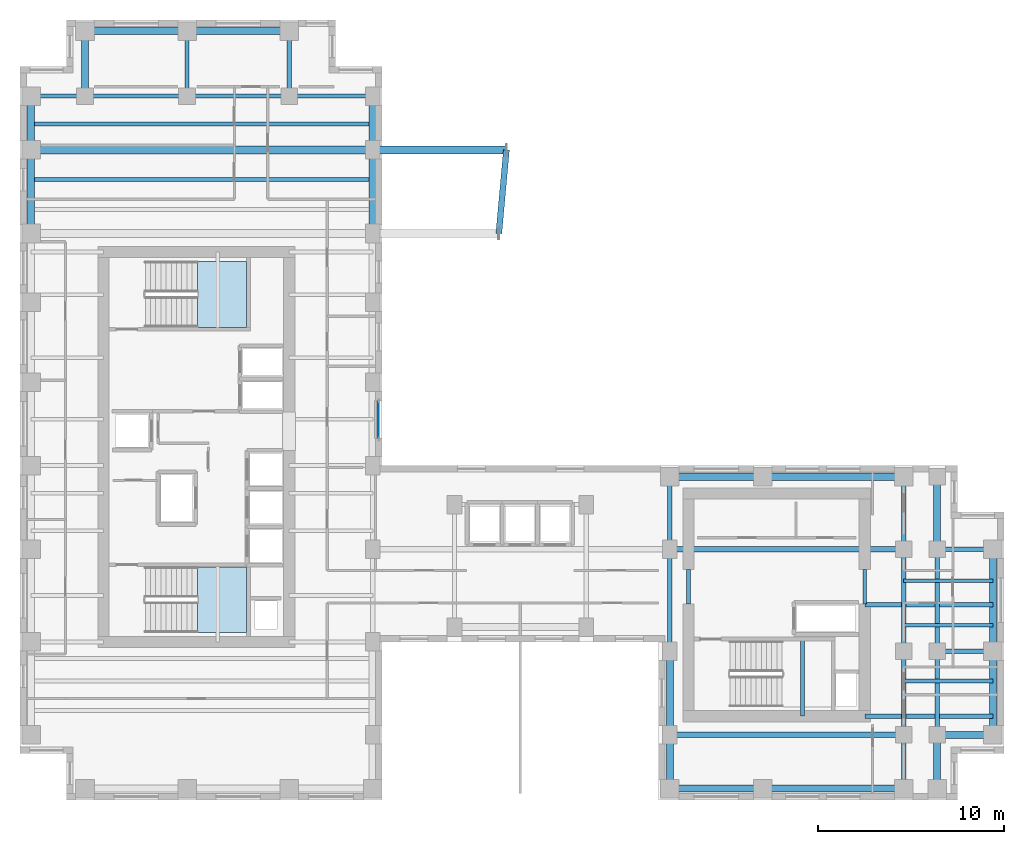
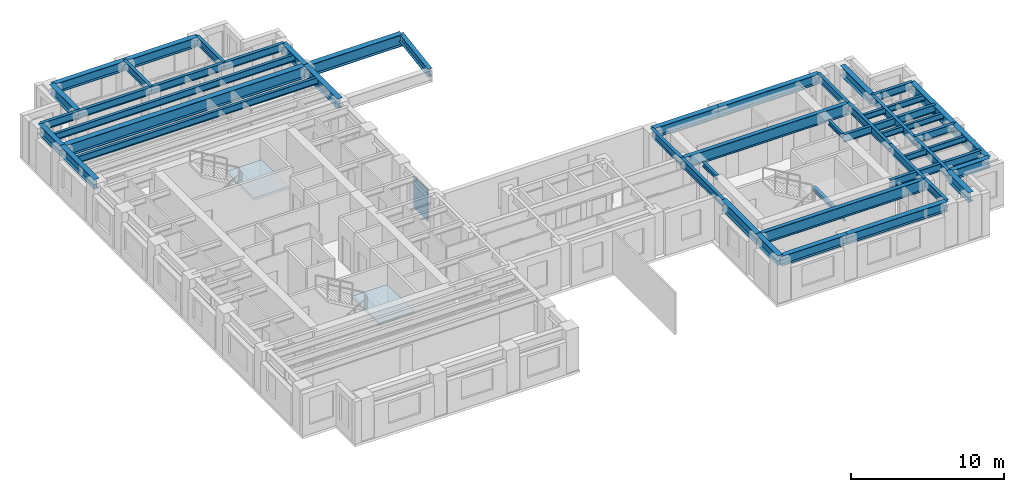
# One storey, part 3 of 13: 49 beams, 2 slabs, 1 plate, 3 elements without a shape of their own.
"""IFC4 building model written with IfcOpenShell, lengths in metres."""

import ifcopenshell
import ifcopenshell.guid

model = None  # the IFC model being written
_history = None  # IfcOwnerHistory: only IFC2X3 demands one
_inside = {}  # id of a spatial element -> (the spatial element, [elements in it])
_under = {}  # id of a project, library or spatial element -> (it, [spatial elements below it])
_declared = {}  # id of a project -> (the project, [libraries it declares])
_typed = {}  # id of a type object -> (the type object, [elements of that type])
_made_of = {}  # id of a material, layer set ... -> (it, [elements and type objects made of it])


def new_model(schema):
    """Start an empty IFC model of exactly this schema.

    Asked for "IFC4X3", IfcOpenShell would pick the latest addendum, in which some entities
    have other attributes; the version numbers below select the first issue.
    IFC2X3 requires an IfcOwnerHistory on every rooted entity: one is made here for all.
    """
    global model, _history
    if schema == "IFC4X3":
        model = ifcopenshell.file(schema_version=(4, 3, 0, 0))
    else:
        model = ifcopenshell.file(schema=schema)
    _inside.clear()
    _under.clear()
    _declared.clear()
    _typed.clear()
    _made_of.clear()
    _history = None
    if model.schema == "IFC2X3":
        org = make("IfcOrganization", Name="unknown")
        user = make(
            "IfcPersonAndOrganization",
            ThePerson=make("IfcPerson", FamilyName="unknown"),
            TheOrganization=org,
        )
        app = make(
            "IfcApplication",
            ApplicationDeveloper=org,
            Version="unknown",
            ApplicationFullName="unknown",
            ApplicationIdentifier="unknown",
        )
        _history = make(
            "IfcOwnerHistory",
            OwningUser=user,
            OwningApplication=app,
            ChangeAction="ADDED",
            CreationDate=0,
        )
    return model


def make(cls, **values):
    """One entity of the class cls with the attributes given. An attribute that is None is left unset."""
    return model.create_entity(
        cls, **{name: value for name, value in values.items() if value is not None}
    )


def rooted(cls, **values):
    """An entity with a GlobalId (a new one), such as an element, a storey or a relation."""
    return make(cls, GlobalId=ifcopenshell.guid.new(), OwnerHistory=_history, **values)


def si_unit(unit_type, name, prefix=None):
    """IfcSIUnit, for example si_unit("LENGTHUNIT", "METRE", prefix="MILLI")."""
    return make("IfcSIUnit", UnitType=unit_type, Prefix=prefix, Name=name)


def assignment(units):
    """IfcUnitAssignment: the units of a project."""
    return None if units is None else make("IfcUnitAssignment", Units=units)


def point(xyz):
    """IfcCartesianPoint."""
    return None if xyz is None else make("IfcCartesianPoint", Coordinates=xyz)


def direction(xyz):
    """IfcDirection."""
    return None if xyz is None else make("IfcDirection", DirectionRatios=xyz)


def frame(location, z_axis=None, x_axis=None):
    """IfcAxis2Placement3D, a coordinate frame: its origin and axes. An axis left out is left unset."""
    return make(
        "IfcAxis2Placement3D",
        Location=point(location),
        Axis=direction(z_axis),
        RefDirection=direction(x_axis),
    )


def frame_2d(location, x_axis=None):
    """IfcAxis2Placement2D, a coordinate frame in the plane: its origin and x axis."""
    return make(
        "IfcAxis2Placement2D", Location=point(location), RefDirection=direction(x_axis)
    )


def origin():
    """The frame at (0, 0, 0) with its axes left unset."""
    return frame((0.0, 0.0, 0.0))


def origin_2d():
    """The frame at (0, 0) in the plane with its x axis left unset."""
    return frame_2d((0.0, 0.0))


def place(relative_to, where):
    """IfcLocalPlacement: puts the frame where relative to a parent placement (None: the world)."""
    return make(
        "IfcLocalPlacement", PlacementRelTo=relative_to, RelativePlacement=where
    )


def context(
    kind, dimensions, precision=None, world=None, true_north=None, identifier=None
):
    """IfcGeometricRepresentationContext, for example the 3D "Model" context."""
    return make(
        "IfcGeometricRepresentationContext",
        ContextIdentifier=identifier,
        ContextType=kind,
        CoordinateSpaceDimension=dimensions,
        Precision=precision,
        WorldCoordinateSystem=world,
        TrueNorth=true_north,
    )


def subcontext(parent, identifier, kind, view, scale=None):
    """IfcGeometricRepresentationSubContext, for example "Body" below "Model"."""
    return make(
        "IfcGeometricRepresentationSubContext",
        ContextIdentifier=identifier,
        ContextType=kind,
        ParentContext=parent,
        TargetScale=scale,
        TargetView=view,
    )


def project(units=None, contexts=None):
    """IfcProject with its units and contexts."""
    return rooted(
        "IfcProject",
        Name="project",
        RepresentationContexts=contexts,
        UnitsInContext=assignment(units),
    )


def spatial(cls, under=None, at=None, **own):
    """A site, building, storey or space (cls), placed at a placement, below another one or the project."""
    s = rooted(cls, ObjectPlacement=at, **own)
    if under is not None:
        _under.setdefault(under.id(), (under, []))[1].append(s)
    return s


def polyline(points):
    """IfcPolyline through the points."""
    return make("IfcPolyline", Points=[point(p) for p in points])


def profile(cls, at=None, kind="AREA", **sizes):
    """A parametric profile (cls). Its sizes go by their IFC names, for example OverallWidth=200.0."""
    return make(cls, ProfileType=kind, Position=at, **sizes)


def rectangle(**sizes):
    """IfcRectangleProfileDef."""
    return profile("IfcRectangleProfileDef", **sizes)


def i_section(**sizes):
    """IfcIShapeProfileDef."""
    return profile("IfcIShapeProfileDef", **sizes)


def outline(outer, holes=None, kind="AREA"):
    """IfcArbitraryClosedProfileDef: a profile drawn as a closed curve; with holes, ...WithVoids."""
    if holes is None:
        return make("IfcArbitraryClosedProfileDef", ProfileType=kind, OuterCurve=outer)
    return make(
        "IfcArbitraryProfileDefWithVoids",
        ProfileType=kind,
        OuterCurve=outer,
        InnerCurves=holes,
    )


def extrude(swept, where, along, depth):
    """IfcExtrudedAreaSolid: the profile swept, set in the frame where, extruded along a direction by depth."""
    return make(
        "IfcExtrudedAreaSolid",
        SweptArea=swept,
        Position=where,
        ExtrudedDirection=direction(along),
        Depth=depth,
    )


def shape(context_of_items, identifier, shape_type, items):
    """IfcShapeRepresentation: the items that make up one representation, for example the "Body"."""
    return make(
        "IfcShapeRepresentation",
        ContextOfItems=context_of_items,
        RepresentationIdentifier=identifier,
        RepresentationType=shape_type,
        Items=items,
    )


def source(mapping_origin, context_of_items, identifier, shape_type, items):
    """IfcRepresentationMap: a shape defined once, which mapped items show again and again."""
    return make(
        "IfcRepresentationMap",
        MappingOrigin=mapping_origin,
        MappedRepresentation=shape(context_of_items, identifier, shape_type, items),
    )


def transform(
    local_origin,
    x_axis=None,
    y_axis=None,
    z_axis=None,
    scale=None,
    scale2=None,
    scale3=None,
    uniform=True,
):
    """IfcCartesianTransformationOperator3D, or its non-uniform kind. x_axis, y_axis, z_axis: its Axis1, 2, 3."""
    if uniform:
        return make(
            "IfcCartesianTransformationOperator3D",
            Axis1=direction(x_axis),
            Axis2=direction(y_axis),
            LocalOrigin=point(local_origin),
            Scale=scale,
            Axis3=direction(z_axis),
        )
    return make(
        "IfcCartesianTransformationOperator3DnonUniform",
        Axis1=direction(x_axis),
        Axis2=direction(y_axis),
        LocalOrigin=point(local_origin),
        Scale=scale,
        Axis3=direction(z_axis),
        Scale2=scale2,
        Scale3=scale3,
    )


def mapped(mapping_source, mapping_target):
    """IfcMappedItem: shows the shape of a source again, moved by a transform."""
    return make(
        "IfcMappedItem", MappingSource=mapping_source, MappingTarget=mapping_target
    )


def material(Name=None, Category=None):
    """IfcMaterial."""
    return make("IfcMaterial", Name=Name, Category=Category)


def layer(
    of_material, thickness, ventilated=None, Name=None, Category=None, Priority=None
):
    """IfcMaterialLayer: one layer of a wall or slab, of a material (None: an air gap)."""
    return make(
        "IfcMaterialLayer",
        Material=of_material,
        LayerThickness=thickness,
        IsVentilated=ventilated,
        Name=Name,
        Category=Category,
        Priority=Priority,
    )


def layer_set(layers, Name=None):
    """IfcMaterialLayerSet."""
    return make("IfcMaterialLayerSet", MaterialLayers=layers, LayerSetName=Name)


def material_profile(
    of_material, cross_section, Name=None, Category=None, Priority=None
):
    """IfcMaterialProfile: a cross section and its material."""
    return make(
        "IfcMaterialProfile",
        Name=Name,
        Material=of_material,
        Profile=cross_section,
        Priority=Priority,
        Category=Category,
    )


def profile_set(profiles, Name=None, composite=None):
    """IfcMaterialProfileSet."""
    return make(
        "IfcMaterialProfileSet",
        Name=Name,
        MaterialProfiles=profiles,
        CompositeProfile=composite,
    )


def made_of(thing, what):
    """Note that an element or type object is made of a material, layer set ...; save() writes the relation."""
    if what is not None:
        _made_of.setdefault(what.id(), (what, []))[1].append(thing)
    return thing


def type_object(cls, material=None, **own):
    """A type object (cls), such as IfcWallType, which elements share."""
    return made_of(rooted(cls, **own), material)


def element(
    cls,
    number,
    at=None,
    inside=None,
    cuts=None,
    type_object=None,
    material=None,
    context=None,
    identifier="Body",
    shape_type=None,
    held_by="IfcProductDefinitionShape",
    body=None,
    shapes=None,
    **own,
):
    """One element of the class cls, such as IfcWall. Its Tag is "e" and its number.

    at: its placement. inside: the storey or other place that contains it. cuts: it is an
    opening in that element (IfcRelVoidsElement). A single representation is given by context,
    identifier, shape_type and body (its items); several are given by shapes. held_by: the class
    of the entity that holds the representations. save() writes the other relations.
    """
    e = rooted(cls, Tag="e%d" % number, ObjectPlacement=at, **own)
    if body is not None:
        shapes = [shape(context, identifier, shape_type, body)]
    if shapes is not None:
        e.Representation = make(held_by, Representations=shapes)
    if inside is not None:
        _inside.setdefault(inside.id(), (inside, []))[1].append(e)
    if cuts is not None:
        rooted(
            "IfcRelVoidsElement", RelatingBuildingElement=cuts, RelatedOpeningElement=e
        )
    if type_object is not None:
        _typed.setdefault(type_object.id(), (type_object, []))[1].append(e)
    return made_of(e, material)


def aggregate(whole, parts):
    """IfcRelAggregates: a whole, such as a stair, and the parts it consists of."""
    return rooted("IfcRelAggregates", RelatingObject=whole, RelatedObjects=parts)


def save(model, path):
    """Write the relations noted so far, then the file.

    IfcRelAggregates (storeys below a building ...), IfcRelContainedInSpatialStructure (elements
    in a storey), IfcRelDefinesByType, IfcRelAssociatesMaterial and IfcRelDeclares: one each for
    every whole, place, type object, material and project.
    """
    for whole, parts in _under.values():
        aggregate(whole, parts)
    for where, things in _inside.values():
        rooted(
            "IfcRelContainedInSpatialStructure",
            RelatedElements=things,
            RelatingStructure=where,
        )
    for kind, things in _typed.values():
        rooted("IfcRelDefinesByType", RelatedObjects=things, RelatingType=kind)
    for what, things in _made_of.values():
        rooted("IfcRelAssociatesMaterial", RelatedObjects=things, RelatingMaterial=what)
    for by, libraries in _declared.values():
        rooted("IfcRelDeclares", RelatingContext=by, RelatedDefinitions=libraries)
    model.write(path)


model = new_model("IFC4")

# Units and contexts
model_context = context("Model", 3, precision=1e-05, world=origin(), true_north=direction((0.0, 1.0)))
body_context = subcontext(model_context, "Body", "Model", "MODEL_VIEW")
ifc_project = project(units=[si_unit("LENGTHUNIT", "METRE"), si_unit("AREAUNIT", "SQUARE_METRE"), si_unit("VOLUMEUNIT", "CUBIC_METRE"), si_unit("PLANEANGLEUNIT", "RADIAN"), si_unit("MASSUNIT", "GRAM", prefix="KILO")], contexts=[model_context])

# Site, building, storey
site_placement = place(None, origin())
site = spatial("IfcSite", under=ifc_project, at=site_placement, CompositionType="ELEMENT")
building_placement = place(site_placement, origin())
building = spatial("IfcBuilding", under=site, at=building_placement, Name="Kharzan Plaza Tower", CompositionType="ELEMENT")
storey_placement = place(building_placement, frame((0.0, 0.0, 197.10009765625)))
storey = spatial("IfcBuildingStorey", under=building, at=storey_placement, Name="L53", CompositionType="ELEMENT", Elevation=197.10009765625)

# Beams
ifc_material_1 = material(Name="Steel S355", Category="steel")
ifc_material_profile_1 = material_profile(ifc_material_1, i_section(OverallWidth=0.205078125, OverallDepth=0.35400390625, WebThickness=0.009521484375, FlangeThickness=0.016845703125, at=origin_2d()), Name="W360x79")
ifc_profile_set_1 = profile_set([ifc_material_profile_1], Name="Steel S355")
beam_type_1 = type_object("IfcBeamType", Name="BM-LNT360", PredefinedType="LINTEL", material=ifc_profile_set_1)
shared_shape_1 = source(origin(), body_context, "Body", "SweptSolid", [
    extrude(i_section(OverallWidth=0.205078125, OverallDepth=0.35400390625, WebThickness=0.009521484375, FlangeThickness=0.016845703125, at=origin_2d()), origin(), (0.0, 0.0, 1.0), 1.849853515625),
])
for number, where, z_axis, x_axis, name in (
    (1, (45.5, 10.550048828125, 3.222900390625), (0.0, 1.0, 0.0), (-1.0, 0.0, 0.0), "L53 CORE-B coupling lintel LN1-WE"),
    (2, (36.0, 10.550048828125, 3.222900390625), (0.0, 1.0, 0.0), (-1.0, 0.0, 0.0), "L53 CORE-B coupling lintel LN1-WW"),
):
    element("IfcBeam", number, at=place(storey_placement, frame(where, z_axis=z_axis, x_axis=x_axis)), inside=storey, type_object=beam_type_1, Name=name, PredefinedType="LINTEL", context=body_context, shape_type="MappedRepresentation", body=[
        mapped(shared_shape_1, transform((0.0, 0.0, 0.0), x_axis=(1.0, 0.0, 0.0), y_axis=(0.0, 1.0, 0.0), z_axis=(0.0, 0.0, 1.0))),
    ])
shared_shape_2 = source(origin(), body_context, "Body", "SweptSolid", [
    extrude(i_section(OverallWidth=0.205078125, OverallDepth=0.35400390625, WebThickness=0.009521484375, FlangeThickness=0.016845703125, at=origin_2d()), origin(), (0.0, 0.0, 1.0), 4.155029296875),
])
beam_1_placement = place(storey_placement, frame((42.14990234375, 4.5, 1.4228515625), z_axis=(0.0, 1.0, 0.0), x_axis=(-1.0, 0.0, 0.0)))
element("IfcBeam", 3, at=beam_1_placement, inside=storey, type_object=beam_type_1, Name="L53 Stair ST-3 Half-Landing Beam", PredefinedType="LINTEL", context=body_context, shape_type="MappedRepresentation", body=[
    mapped(shared_shape_2, transform((0.0, 0.0, 0.0), x_axis=(1.0, 0.0, 0.0), y_axis=(0.0, 1.0, 0.0), z_axis=(0.0, 0.0, 1.0))),
])
ifc_material_profile_2 = material_profile(ifc_material_1, i_section(OverallWidth=0.304931640625, OverallDepth=0.9189453125, WebThickness=0.017333984375, FlangeThickness=0.02783203125, at=origin_2d()), Name="W920x253")
ifc_profile_set_2 = profile_set([ifc_material_profile_2], Name="Steel S355")
beam_type_2 = type_object("IfcBeamType", Name="BM-FG920B", PredefinedType="BEAM", material=ifc_profile_set_2)
shared_shape_3 = source(origin(), body_context, "Body", "SweptSolid", [
    extrude(i_section(OverallWidth=0.304931640625, OverallDepth=0.9189453125, WebThickness=0.017333984375, FlangeThickness=0.02783203125, at=origin_2d()), origin(), (0.0, 0.0, 1.0), 12.60009765625),
])
for number, where, z_axis, x_axis, name in (
    (4, (35.0, 3.5, 2.9404296875), (1.0, 0.0, 0.0), (0.0, 1.0, 0.0), "L53 Primary Floor Girder"),
    (5, (35.0, 13.5, 2.9404296875), (1.0, 0.0, 0.0), (0.0, 1.0, 0.0), "L53 Primary Floor Girder"),
):
    element("IfcBeam", number, at=place(storey_placement, frame(where, z_axis=z_axis, x_axis=x_axis)), inside=storey, type_object=beam_type_2, Name=name, PredefinedType="BEAM", context=body_context, shape_type="MappedRepresentation", body=[
        mapped(shared_shape_3, transform((0.0, 0.0, 0.0), x_axis=(1.0, 0.0, 0.0), y_axis=(0.0, 1.0, 0.0), z_axis=(0.0, 0.0, 1.0))),
    ])
ifc_material_profile_3 = material_profile(ifc_material_1, i_section(OverallWidth=0.2099609375, OverallDepth=0.537109375, WebThickness=0.010986328125, FlangeThickness=0.017333984375, at=origin_2d()), Name="W530x101")
ifc_profile_set_3 = profile_set([ifc_material_profile_3], Name="Steel S355")
beam_type_3 = type_object("IfcBeamType", Name="BM-JST530B", PredefinedType="JOIST", material=ifc_profile_set_3)
shared_shape_4 = source(origin(), body_context, "Body", "SweptSolid", [
    extrude(i_section(OverallWidth=0.2099609375, OverallDepth=0.537109375, WebThickness=0.010986328125, FlangeThickness=0.017333984375, at=origin_2d()), origin(), (0.0, 0.0, 1.0), 18.39990234375),
])
for number, where, z_axis, x_axis, name in (
    (6, (0.60009765625, 33.39990234375, 3.13134765625), (1.0, 0.0, 0.0), (0.0, 1.0, 0.0), "L53 Wing A Composite Joist 05"),
    (7, (0.60009765625, 36.39990234375, 3.13134765625), (1.0, 0.0, 0.0), (0.0, 1.0, 0.0), "L53 Wing A Composite Joist 06"),
):
    element("IfcBeam", number, at=place(storey_placement, frame(where, z_axis=z_axis, x_axis=x_axis)), inside=storey, type_object=beam_type_3, Name=name, PredefinedType="JOIST", context=body_context, shape_type="MappedRepresentation", body=[
        mapped(shared_shape_4, transform((0.0, 0.0, 0.0), x_axis=(1.0, 0.0, 0.0), y_axis=(0.0, 1.0, 0.0), z_axis=(0.0, 0.0, 1.0))),
    ])
ifc_material_profile_4 = material_profile(ifc_material_1, i_section(OverallWidth=0.41796875, OverallDepth=0.93701171875, WebThickness=0.019287109375, FlangeThickness=0.031982421875, at=origin_2d()), Name="W920x342")
ifc_profile_set_4 = profile_set([ifc_material_profile_4], Name="Steel S355")
beam_type_4 = type_object("IfcBeamType", Name="BM-ZTB920", PredefinedType="BEAM", material=ifc_profile_set_4)
shared_shape_5 = source(origin(), body_context, "Body", "SweptSolid", [
    extrude(i_section(OverallWidth=0.41796875, OverallDepth=0.93701171875, WebThickness=0.019287109375, FlangeThickness=0.031982421875, at=origin_2d()), origin(), (0.0, 0.0, 1.0), 18.39990234375),
])
beam_2_placement = place(storey_placement, frame((0.60009765625, 35.0, 2.931396484375), z_axis=(1.0, 0.0, 0.0), x_axis=(0.0, 1.0, 0.0)))
element("IfcBeam", 8, at=beam_2_placement, inside=storey, type_object=beam_type_4, Name="L53 Sky-Terrace Back-Span Girder ZTB1 (L54 G2)", PredefinedType="BEAM", context=body_context, shape_type="MappedRepresentation", body=[
    mapped(shared_shape_5, transform((0.0, 0.0, 0.0), x_axis=(1.0, 0.0, 0.0), y_axis=(0.0, 1.0, 0.0), z_axis=(0.0, 0.0, 1.0))),
])
ifc_material_profile_5 = material_profile(ifc_material_1, i_section(OverallWidth=0.41796875, OverallDepth=0.93701171875, WebThickness=0.019287109375, FlangeThickness=0.031982421875, at=origin_2d()), Name="W920x342")
ifc_profile_set_5 = profile_set([ifc_material_profile_5], Name="Steel S355")
beam_type_5 = type_object("IfcBeamType", Name="BM-ZTG920", PredefinedType="BEAM", material=ifc_profile_set_5)
shared_shape_6 = source(origin(), body_context, "Body", "SweptSolid", [
    extrude(i_section(OverallWidth=0.41796875, OverallDepth=0.93701171875, WebThickness=0.019287109375, FlangeThickness=0.031982421875, at=origin_2d()), origin(), (0.0, 0.0, 1.0), 7.199951171875),
])
beam_3_placement = place(storey_placement, frame((19.0, 35.0, 2.91650390625), z_axis=(1.0, 0.0, 0.0), x_axis=(0.0, 1.0, 0.0)))
element("IfcBeam", 9, at=beam_3_placement, inside=storey, type_object=beam_type_5, Name="L53 Sky-Terrace Cantilever Girder ZTG1 (L54 G2)", PredefinedType="BEAM", context=body_context, shape_type="MappedRepresentation", body=[
    mapped(shared_shape_6, transform((0.0, 0.0, 0.0), x_axis=(1.0, 0.0, 0.0), y_axis=(0.0, 1.0, 0.0), z_axis=(0.0, 0.0, 1.0))),
])
ifc_material_profile_6 = material_profile(ifc_material_1, i_section(OverallWidth=0.324951171875, OverallDepth=0.615966796875, WebThickness=0.013916015625, FlangeThickness=0.021484375, at=origin_2d()), Name="W610x174")
ifc_profile_set_6 = profile_set([ifc_material_profile_6], Name="Steel S355")
beam_type_6 = type_object("IfcBeamType", Name="BM-ZTT610", PredefinedType="BEAM", material=ifc_profile_set_6)
shared_shape_7 = source(origin(), body_context, "Body", "SweptSolid", [
    extrude(i_section(OverallWidth=0.324951171875, OverallDepth=0.615966796875, WebThickness=0.013916015625, FlangeThickness=0.021484375, at=origin_2d()), origin(), (0.0, 0.0, 1.0), 4.5185546875),
])
beam_4_placement = place(storey_placement, frame((25.7900390625, 30.5, 3.076904296875), z_axis=(0.09071599143, 0.995876804077, 0.0), x_axis=(-0.995876804077, 0.09071599143, 0.0)))
element("IfcBeam", 10, at=beam_4_placement, inside=storey, type_object=beam_type_6, Name="L53 Sky-Terrace Edge Trimmer Beam ZTT1 (L54)", PredefinedType="BEAM", context=body_context, shape_type="MappedRepresentation", body=[
    mapped(shared_shape_7, transform((0.0, 0.0, 0.0), x_axis=(1.0, 0.0, 0.0), y_axis=(0.0, 1.0, 0.0), z_axis=(0.0, 0.0, 1.0))),
])
ifc_material_profile_7 = material_profile(ifc_material_1, i_section(OverallWidth=0.22900390625, OverallDepth=0.612060546875, WebThickness=0.011962890625, FlangeThickness=0.01953125, at=origin_2d()), Name="W610x125")
ifc_profile_set_7 = profile_set([ifc_material_profile_7], Name="Steel S355")
beam_type_7 = type_object("IfcBeamType", Name="BM-FG610B", PredefinedType="BEAM", material=ifc_profile_set_7)
shared_shape_8 = source(origin(), body_context, "Body", "SweptSolid", [
    extrude(i_section(OverallWidth=0.22900390625, OverallDepth=0.612060546875, WebThickness=0.011962890625, FlangeThickness=0.01953125, at=origin_2d()), origin(), (0.0, 0.0, 1.0), 4.5),
])
for number, where, z_axis, x_axis, name in (
    (11, (47.60009765625, 3.5, 3.093994140625), (0.0, 1.0, 0.0), (-1.0, 0.0, 0.0), "L53 Interior Frame Girder"),
    (12, (49.39990234375, 3.5, 3.093994140625), (0.0, 1.0, 0.0), (-1.0, 0.0, 0.0), "L53 Interior Frame Girder"),
    (13, (14.5, 37.89990234375, 3.093994140625), (1.0, 0.0, 0.0), (0.0, 1.0, 0.0), "L53 Primary Floor Girder"),
):
    element("IfcBeam", number, at=place(storey_placement, frame(where, z_axis=z_axis, x_axis=x_axis)), inside=storey, type_object=beam_type_7, Name=name, PredefinedType="BEAM", context=body_context, shape_type="MappedRepresentation", body=[
        mapped(shared_shape_8, transform((0.0, 0.0, 0.0), x_axis=(1.0, 0.0, 0.0), y_axis=(0.0, 1.0, 0.0), z_axis=(0.0, 0.0, 1.0))),
    ])
shared_shape_9 = source(origin(), body_context, "Body", "SweptSolid", [
    extrude(i_section(OverallWidth=0.22900390625, OverallDepth=0.612060546875, WebThickness=0.011962890625, FlangeThickness=0.01953125, at=origin_2d()), origin(), (0.0, 0.0, 1.0), 3.89990234375),
])
for number, where, z_axis, x_axis, name in (
    (14, (35.0, 13.5, 3.093994140625), (0.0, 1.0, 0.0), (-1.0, 0.0, 0.0), "L53 Interior Frame Girder"),
    (15, (47.60009765625, 13.5, 3.093994140625), (0.0, 1.0, 0.0), (-1.0, 0.0, 0.0), "L53 Interior Frame Girder"),
):
    element("IfcBeam", number, at=place(storey_placement, frame(where, z_axis=z_axis, x_axis=x_axis)), inside=storey, type_object=beam_type_7, Name=name, PredefinedType="BEAM", context=body_context, shape_type="MappedRepresentation", body=[
        mapped(shared_shape_9, transform((0.0, 0.0, 0.0), x_axis=(1.0, 0.0, 0.0), y_axis=(0.0, 1.0, 0.0), z_axis=(0.0, 0.0, 1.0))),
    ])
shared_shape_10 = source(origin(), body_context, "Body", "SweptSolid", [
    extrude(i_section(OverallWidth=0.22900390625, OverallDepth=0.612060546875, WebThickness=0.011962890625, FlangeThickness=0.01953125, at=origin_2d()), origin(), (0.0, 0.0, 1.0), 6.89990234375),
])
for number, where, z_axis, x_axis, name in (
    (16, (45.5, 4.5, 3.093994140625), (1.0, 0.0, 0.0), (0.0, 1.0, 0.0), "L53 Core-B East Floor Girder 1"),
    (17, (45.5, 10.5, 3.093994140625), (1.0, 0.0, 0.0), (0.0, 1.0, 0.0), "L53 Core-B East Floor Girder 2"),
):
    element("IfcBeam", number, at=place(storey_placement, frame(where, z_axis=z_axis, x_axis=x_axis)), inside=storey, type_object=beam_type_7, Name=name, PredefinedType="BEAM", context=body_context, shape_type="MappedRepresentation", body=[
        mapped(shared_shape_10, transform((0.0, 0.0, 0.0), x_axis=(1.0, 0.0, 0.0), y_axis=(0.0, 1.0, 0.0), z_axis=(0.0, 0.0, 1.0))),
    ])
shared_shape_11 = source(origin(), body_context, "Body", "SweptSolid", [
    extrude(i_section(OverallWidth=0.22900390625, OverallDepth=0.612060546875, WebThickness=0.011962890625, FlangeThickness=0.01953125, at=origin_2d()), origin(), (0.0, 0.0, 1.0), 3.5),
])
for number, where, z_axis, x_axis, name in (
    (18, (9.0, 37.89990234375, 3.093994140625), (0.0, 1.0, 0.0), (-1.0, 0.0, 0.0), "L53 Interior Frame Girder"),
    (19, (14.5, 37.89990234375, 3.093994140625), (0.0, 1.0, 0.0), (-1.0, 0.0, 0.0), "L53 Interior Frame Girder"),
):
    element("IfcBeam", number, at=place(storey_placement, frame(where, z_axis=z_axis, x_axis=x_axis)), inside=storey, type_object=beam_type_7, Name=name, PredefinedType="BEAM", context=body_context, shape_type="MappedRepresentation", body=[
        mapped(shared_shape_11, transform((0.0, 0.0, 0.0), x_axis=(1.0, 0.0, 0.0), y_axis=(0.0, 1.0, 0.0), z_axis=(0.0, 0.0, 1.0))),
    ])
shared_shape_12 = source(origin(), body_context, "Body", "SweptSolid", [
    extrude(i_section(OverallWidth=0.22900390625, OverallDepth=0.612060546875, WebThickness=0.011962890625, FlangeThickness=0.01953125, at=origin_2d()), origin(), (0.0, 0.0, 1.0), 5.5),
])
for number, where, z_axis, x_axis, name in (
    (20, (35.0, 8.0, 3.093994140625), (0.0, 1.0, 0.0), (-1.0, 0.0, 0.0), "L53 Interior Frame Girder"),
    (21, (47.60009765625, 8.0, 3.093994140625), (0.0, 1.0, 0.0), (-1.0, 0.0, 0.0), "L53 Interior Frame Girder"),
    (22, (49.39990234375, 8.0, 3.093994140625), (0.0, 1.0, 0.0), (-1.0, 0.0, 0.0), "L53 Interior Frame Girder"),
    (23, (3.5, 37.89990234375, 3.093994140625), (1.0, 0.0, 0.0), (0.0, 1.0, 0.0), "L53 Primary Floor Girder"),
    (24, (9.0, 37.89990234375, 3.093994140625), (1.0, 0.0, 0.0), (0.0, 1.0, 0.0), "L53 Primary Floor Girder"),
):
    element("IfcBeam", number, at=place(storey_placement, frame(where, z_axis=z_axis, x_axis=x_axis)), inside=storey, type_object=beam_type_7, Name=name, PredefinedType="BEAM", context=body_context, shape_type="MappedRepresentation", body=[
        mapped(shared_shape_12, transform((0.0, 0.0, 0.0), x_axis=(1.0, 0.0, 0.0), y_axis=(0.0, 1.0, 0.0), z_axis=(0.0, 0.0, 1.0))),
    ])
shared_shape_13 = source(origin(), body_context, "Body", "SweptSolid", [
    extrude(i_section(OverallWidth=0.22900390625, OverallDepth=0.612060546875, WebThickness=0.011962890625, FlangeThickness=0.01953125, at=origin_2d()), origin(), (0.0, 0.0, 1.0), 2.89990234375),
])
for number, where, z_axis, x_axis, name in (
    (25, (47.60009765625, 0.60009765625, 3.093994140625), (0.0, 1.0, 0.0), (-1.0, 0.0, 0.0), "L53 Interior Frame Girder"),
    (26, (0.60009765625, 37.89990234375, 3.093994140625), (1.0, 0.0, 0.0), (0.0, 1.0, 0.0), "L53 Primary Floor Girder"),
):
    element("IfcBeam", number, at=place(storey_placement, frame(where, z_axis=z_axis, x_axis=x_axis)), inside=storey, type_object=beam_type_7, Name=name, PredefinedType="BEAM", context=body_context, shape_type="MappedRepresentation", body=[
        mapped(shared_shape_13, transform((0.0, 0.0, 0.0), x_axis=(1.0, 0.0, 0.0), y_axis=(0.0, 1.0, 0.0), z_axis=(0.0, 0.0, 1.0))),
    ])
shared_shape_14 = source(origin(), body_context, "Body", "SweptSolid", [
    extrude(i_section(OverallWidth=0.22900390625, OverallDepth=0.612060546875, WebThickness=0.011962890625, FlangeThickness=0.01953125, at=origin_2d()), origin(), (0.0, 0.0, 1.0), 3.0),
])
for number, where, z_axis, x_axis, name in (
    (27, (49.39990234375, 8.0, 3.093994140625), (1.0, 0.0, 0.0), (0.0, 1.0, 0.0), "L53 Primary Floor Girder"),
    (28, (49.39990234375, 13.5, 3.093994140625), (1.0, 0.0, 0.0), (0.0, 1.0, 0.0), "L53 Primary Floor Girder"),
):
    element("IfcBeam", number, at=place(storey_placement, frame(where, z_axis=z_axis, x_axis=x_axis)), inside=storey, type_object=beam_type_7, Name=name, PredefinedType="BEAM", context=body_context, shape_type="MappedRepresentation", body=[
        mapped(shared_shape_14, transform((0.0, 0.0, 0.0), x_axis=(1.0, 0.0, 0.0), y_axis=(0.0, 1.0, 0.0), z_axis=(0.0, 0.0, 1.0))),
    ])
ifc_material_profile_8 = material_profile(ifc_material_1, i_section(OverallWidth=0.194091796875, OverallDepth=0.468994140625, WebThickness=0.011474609375, FlangeThickness=0.0205078125, at=origin_2d()), Name="W460x106")
ifc_profile_set_8 = profile_set([ifc_material_profile_8], Name="Steel S355")
beam_type_8 = type_object("IfcBeamType", Name="BM-JST460", PredefinedType="JOIST", material=ifc_profile_set_8)
shared_shape_15 = source(origin(), body_context, "Body", "SweptSolid", [
    extrude(i_section(OverallWidth=0.194091796875, OverallDepth=0.468994140625, WebThickness=0.011474609375, FlangeThickness=0.0205078125, at=origin_2d()), origin(), (0.0, 0.0, 1.0), 4.7998046875),
])
for number, where, z_axis, x_axis, name in (
    (29, (47.60009765625, 6.39990234375, 3.165283203125), (1.0, 0.0, 0.0), (0.0, 1.0, 0.0), "L53 Wing B Composite Joist 02"),
    (30, (47.60009765625, 9.39990234375, 3.165283203125), (1.0, 0.0, 0.0), (0.0, 1.0, 0.0), "L53 Wing B Composite Joist 03"),
    (31, (47.60009765625, 11.800048828125, 3.165283203125), (1.0, 0.0, 0.0), (0.0, 1.0, 0.0), "L53 Wing B Composite Joist 04"),
):
    element("IfcBeam", number, at=place(storey_placement, frame(where, z_axis=z_axis, x_axis=x_axis)), inside=storey, type_object=beam_type_8, Name=name, PredefinedType="JOIST", context=body_context, shape_type="MappedRepresentation", body=[
        mapped(shared_shape_15, transform((0.0, 0.0, 0.0), x_axis=(1.0, 0.0, 0.0), y_axis=(0.0, 1.0, 0.0), z_axis=(0.0, 0.0, 1.0))),
    ])
ifc_material_profile_9 = material_profile(ifc_material_1, i_section(OverallWidth=0.381103515625, OverallDepth=0.77294921875, WebThickness=0.0166015625, FlangeThickness=0.027587890625, at=origin_2d()), Name="W760x257")
ifc_profile_set_9 = profile_set([ifc_material_profile_9], Name="Steel S355")
beam_type_9 = type_object("IfcBeamType", Name="BM-SP760A", PredefinedType="SPANDREL", material=ifc_profile_set_9)
shared_shape_16 = source(origin(), body_context, "Body", "SweptSolid", [
    extrude(i_section(OverallWidth=0.381103515625, OverallDepth=0.77294921875, WebThickness=0.0166015625, FlangeThickness=0.027587890625, at=origin_2d()), origin(), (0.0, 0.0, 1.0), 5.0),
])
for number, where, z_axis, x_axis, name in (
    (32, (35.0, 0.60009765625, 3.013427734375), (1.0, 0.0, 0.0), (0.0, 1.0, 0.0), "L53 Perimeter Tube Spandrel"),
    (33, (35.0, 17.39990234375, 3.013427734375), (1.0, 0.0, 0.0), (0.0, 1.0, 0.0), "L53 Perimeter Tube Spandrel"),
):
    element("IfcBeam", number, at=place(storey_placement, frame(where, z_axis=z_axis, x_axis=x_axis)), inside=storey, type_object=beam_type_9, Name=name, PredefinedType="SPANDREL", context=body_context, shape_type="MappedRepresentation", body=[
        mapped(shared_shape_16, transform((0.0, 0.0, 0.0), x_axis=(1.0, 0.0, 0.0), y_axis=(0.0, 1.0, 0.0), z_axis=(0.0, 0.0, 1.0))),
    ])
shared_shape_17 = source(origin(), body_context, "Body", "SweptSolid", [
    extrude(i_section(OverallWidth=0.381103515625, OverallDepth=0.77294921875, WebThickness=0.0166015625, FlangeThickness=0.027587890625, at=origin_2d()), origin(), (0.0, 0.0, 1.0), 4.5),
])
for number, where, z_axis, x_axis, name in (
    (34, (0.60009765625, 30.5, 3.013427734375), (0.0, 1.0, 0.0), (-1.0, 0.0, 0.0), "L53 Perimeter Tube Spandrel"),
    (35, (19.0, 30.5, 3.013427734375), (0.0, 1.0, 0.0), (-1.0, 0.0, 0.0), "L53 Perimeter Tube Spandrel"),
    (36, (35.0, 3.5, 3.013427734375), (0.0, 1.0, 0.0), (-1.0, 0.0, 0.0), "L53 Perimeter Tube Spandrel"),
    (37, (52.39990234375, 3.5, 3.013427734375), (0.0, 1.0, 0.0), (-1.0, 0.0, 0.0), "L53 Perimeter Tube Spandrel"),
):
    element("IfcBeam", number, at=place(storey_placement, frame(where, z_axis=z_axis, x_axis=x_axis)), inside=storey, type_object=beam_type_9, Name=name, PredefinedType="SPANDREL", context=body_context, shape_type="MappedRepresentation", body=[
        mapped(shared_shape_17, transform((0.0, 0.0, 0.0), x_axis=(1.0, 0.0, 0.0), y_axis=(0.0, 1.0, 0.0), z_axis=(0.0, 0.0, 1.0))),
    ])
shared_shape_18 = source(origin(), body_context, "Body", "SweptSolid", [
    extrude(i_section(OverallWidth=0.381103515625, OverallDepth=0.77294921875, WebThickness=0.0166015625, FlangeThickness=0.027587890625, at=origin_2d()), origin(), (0.0, 0.0, 1.0), 2.89990234375),
])
for number, where, z_axis, x_axis, name in (
    (38, (0.60009765625, 35.0, 3.013427734375), (0.0, 1.0, 0.0), (-1.0, 0.0, 0.0), "L53 Perimeter Tube Spandrel"),
    (39, (19.0, 35.0, 3.013427734375), (0.0, 1.0, 0.0), (-1.0, 0.0, 0.0), "L53 Perimeter Tube Spandrel"),
    (40, (35.0, 0.60009765625, 3.013427734375), (0.0, 1.0, 0.0), (-1.0, 0.0, 0.0), "L53 Perimeter Tube Spandrel"),
    (41, (49.39990234375, 0.60009765625, 3.013427734375), (0.0, 1.0, 0.0), (-1.0, 0.0, 0.0), "L53 Perimeter Tube Spandrel"),
):
    element("IfcBeam", number, at=place(storey_placement, frame(where, z_axis=z_axis, x_axis=x_axis)), inside=storey, type_object=beam_type_9, Name=name, PredefinedType="SPANDREL", context=body_context, shape_type="MappedRepresentation", body=[
        mapped(shared_shape_18, transform((0.0, 0.0, 0.0), x_axis=(1.0, 0.0, 0.0), y_axis=(0.0, 1.0, 0.0), z_axis=(0.0, 0.0, 1.0))),
    ])
shared_shape_19 = source(origin(), body_context, "Body", "SweptSolid", [
    extrude(i_section(OverallWidth=0.381103515625, OverallDepth=0.77294921875, WebThickness=0.0166015625, FlangeThickness=0.027587890625, at=origin_2d()), origin(), (0.0, 0.0, 1.0), 3.5),
])
beam_5_placement = place(storey_placement, frame((3.5, 37.89990234375, 3.013427734375), z_axis=(0.0, 1.0, 0.0), x_axis=(-1.0, 0.0, 0.0)))
element("IfcBeam", 42, at=beam_5_placement, inside=storey, type_object=beam_type_9, Name="L53 Perimeter Tube Spandrel", PredefinedType="SPANDREL", context=body_context, shape_type="MappedRepresentation", body=[
    mapped(shared_shape_19, transform((0.0, 0.0, 0.0), x_axis=(1.0, 0.0, 0.0), y_axis=(0.0, 1.0, 0.0), z_axis=(0.0, 0.0, 1.0))),
])
shared_shape_20 = source(origin(), body_context, "Body", "SweptSolid", [
    extrude(i_section(OverallWidth=0.381103515625, OverallDepth=0.77294921875, WebThickness=0.0166015625, FlangeThickness=0.027587890625, at=origin_2d()), origin(), (0.0, 0.0, 1.0), 3.89990234375),
])
beam_6_placement = place(storey_placement, frame((49.39990234375, 13.5, 3.013427734375), z_axis=(0.0, 1.0, 0.0), x_axis=(-1.0, 0.0, 0.0)))
element("IfcBeam", 43, at=beam_6_placement, inside=storey, type_object=beam_type_9, Name="L53 Perimeter Tube Spandrel", PredefinedType="SPANDREL", context=body_context, shape_type="MappedRepresentation", body=[
    mapped(shared_shape_20, transform((0.0, 0.0, 0.0), x_axis=(1.0, 0.0, 0.0), y_axis=(0.0, 1.0, 0.0), z_axis=(0.0, 0.0, 1.0))),
])
shared_shape_21 = source(origin(), body_context, "Body", "SweptSolid", [
    extrude(i_section(OverallWidth=0.381103515625, OverallDepth=0.77294921875, WebThickness=0.0166015625, FlangeThickness=0.027587890625, at=origin_2d()), origin(), (0.0, 0.0, 1.0), 5.5),
])
for number, where, z_axis, x_axis, name in (
    (44, (52.39990234375, 8.0, 3.013427734375), (0.0, 1.0, 0.0), (-1.0, 0.0, 0.0), "L53 Perimeter Tube Spandrel"),
    (45, (3.5, 41.39990234375, 3.013427734375), (1.0, 0.0, 0.0), (0.0, 1.0, 0.0), "L53 Perimeter Tube Spandrel"),
    (46, (9.0, 41.39990234375, 3.013427734375), (1.0, 0.0, 0.0), (0.0, 1.0, 0.0), "L53 Perimeter Tube Spandrel"),
):
    element("IfcBeam", number, at=place(storey_placement, frame(where, z_axis=z_axis, x_axis=x_axis)), inside=storey, type_object=beam_type_9, Name=name, PredefinedType="SPANDREL", context=body_context, shape_type="MappedRepresentation", body=[
        mapped(shared_shape_21, transform((0.0, 0.0, 0.0), x_axis=(1.0, 0.0, 0.0), y_axis=(0.0, 1.0, 0.0), z_axis=(0.0, 0.0, 1.0))),
    ])
shared_shape_22 = source(origin(), body_context, "Body", "SweptSolid", [
    extrude(i_section(OverallWidth=0.381103515625, OverallDepth=0.77294921875, WebThickness=0.0166015625, FlangeThickness=0.027587890625, at=origin_2d()), origin(), (0.0, 0.0, 1.0), 7.60009765625),
])
for number, where, z_axis, x_axis, name in (
    (47, (40.0, 0.60009765625, 3.013427734375), (1.0, 0.0, 0.0), (0.0, 1.0, 0.0), "L53 Perimeter Tube Spandrel"),
    (48, (40.0, 17.39990234375, 3.013427734375), (1.0, 0.0, 0.0), (0.0, 1.0, 0.0), "L53 Perimeter Tube Spandrel"),
):
    element("IfcBeam", number, at=place(storey_placement, frame(where, z_axis=z_axis, x_axis=x_axis)), inside=storey, type_object=beam_type_9, Name=name, PredefinedType="SPANDREL", context=body_context, shape_type="MappedRepresentation", body=[
        mapped(shared_shape_22, transform((0.0, 0.0, 0.0), x_axis=(1.0, 0.0, 0.0), y_axis=(0.0, 1.0, 0.0), z_axis=(0.0, 0.0, 1.0))),
    ])
shared_shape_23 = source(origin(), body_context, "Body", "SweptSolid", [
    extrude(i_section(OverallWidth=0.381103515625, OverallDepth=0.77294921875, WebThickness=0.0166015625, FlangeThickness=0.027587890625, at=origin_2d()), origin(), (0.0, 0.0, 1.0), 3.0),
])
beam_7_placement = place(storey_placement, frame((49.39990234375, 3.5, 3.013427734375), z_axis=(1.0, 0.0, 0.0), x_axis=(0.0, 1.0, 0.0)))
element("IfcBeam", 49, at=beam_7_placement, inside=storey, type_object=beam_type_9, Name="L53 Perimeter Tube Spandrel", PredefinedType="SPANDREL", context=body_context, shape_type="MappedRepresentation", body=[
    mapped(shared_shape_23, transform((0.0, 0.0, 0.0), x_axis=(1.0, 0.0, 0.0), y_axis=(0.0, 1.0, 0.0), z_axis=(0.0, 0.0, 1.0))),
])

# Stair, slab
ifc_material_2 = material(Name="Concrete C40/50", Category="concrete")
stair_type_1 = type_object("IfcStairType", Name="STR-ST-1", PredefinedType="HALF_TURN_STAIR", material=ifc_material_2)
stair_1_placement = place(storey_placement, origin())
stair_1 = element("IfcStair", 50, at=stair_1_placement, inside=storey, type_object=stair_type_1, Name="L53 Protected Exit Stair ST-1", PredefinedType="HALF_TURN_STAIR")
ifc_layer_1 = layer(ifc_material_2, 0.219970703125)
ifc_layer_set_1 = layer_set([ifc_layer_1], Name="Concrete C40/50")
slab_type = type_object("IfcSlabType", Name="SL-LANDING-220", PredefinedType="LANDING", material=ifc_layer_set_1)
slab_1_placement = place(storey_placement, frame((0.0, 0.0, 1.599853515625)))
slab_1 = element("IfcSlab", 51, at=slab_1_placement, type_object=slab_type, Name="ST-1 landing 1", PredefinedType="LANDING", context=body_context, shape_type="SweptSolid", body=[
    extrude(outline(polyline([(9.550048828125, 9.0), (12.199951171875, 9.0), (12.199951171875, 12.550048828125), (9.550048828125, 12.550048828125), (9.550048828125, 9.0)])), origin(), (0.0, 0.0, 1.0), 0.199951171875),
])
aggregate(stair_1, [slab_1])

stair_type_2 = type_object("IfcStairType", Name="STR-ST-2", PredefinedType="HALF_TURN_STAIR", material=ifc_material_2)
stair_2_placement = place(storey_placement, origin())
stair_2 = element("IfcStair", 52, at=stair_2_placement, inside=storey, type_object=stair_type_2, Name="L53 Protected Exit Stair ST-2", PredefinedType="HALF_TURN_STAIR")
slab_2_placement = place(storey_placement, frame((0.0, 0.0, 1.599853515625)))
slab_2 = element("IfcSlab", 53, at=slab_2_placement, type_object=slab_type, Name="ST-2 landing 1", PredefinedType="LANDING", context=body_context, shape_type="SweptSolid", body=[
    extrude(outline(polyline([(9.550048828125, 25.449951171875), (12.199951171875, 25.449951171875), (12.199951171875, 29.0), (9.550048828125, 29.0), (9.550048828125, 25.449951171875)])), origin(), (0.0, 0.0, 1.0), 0.199951171875),
])
aggregate(stair_2, [slab_2])

# Curtain wall, plate
ifc_material_3 = material(Name="Unitised Bronze-Anodized Aluminium and Low-E Glass", Category="aluminium")
ifc_layer_2 = layer(ifc_material_3, 0.199951171875)
ifc_layer_set_2 = layer_set([ifc_layer_2], Name="Unitised Bronze-Anodized Aluminium and Low-E Glass")
curtain_wall_type = type_object("IfcCurtainWallType", Name="CW-SLOT-3", PredefinedType="NOTDEFINED", material=ifc_layer_set_2)
curtain_wall_placement = place(storey_placement, origin())
curtain_wall = element("IfcCurtainWall", 54, at=curtain_wall_placement, inside=storey, type_object=curtain_wall_type, Name="L53 West Slot Recessed Spine Curtain Wall", PredefinedType="NOTDEFINED")
ifc_material_4 = material(Name="Dark Solar-Control Double Glazing", Category="glass")
ifc_layer_3 = layer(ifc_material_4, 0.031982421875)
ifc_layer_set_3 = layer_set([ifc_layer_3], Name="Dark Solar-Control Double Glazing")
plate_type = type_object("IfcPlateType", Name="PLT-CW-GLASS", PredefinedType="CURTAIN_PANEL", material=ifc_layer_set_3)
shared_shape_24 = source(origin(), body_context, "Body", "SweptSolid", [
    extrude(rectangle(XDim=1.929931640625, YDim=0.031982421875, at=origin_2d()), origin(), (0.0, 0.0, 1.0), 2.5400390625),
])
plate_placement = place(storey_placement, frame((19.320068359375, 20.47509765625, 0.079833984375), z_axis=(0.0, 0.0, 1.0), x_axis=(0.0, 1.0, 0.0)))
plate = element("IfcPlate", 55, at=plate_placement, type_object=plate_type, Name="L53 Curtain-Wall Glazed Panel 00", PredefinedType="CURTAIN_PANEL", context=body_context, shape_type="MappedRepresentation", body=[
    mapped(shared_shape_24, transform((0.0, 0.0, 0.0), x_axis=(1.0, 0.0, 0.0), y_axis=(0.0, 1.0, 0.0), z_axis=(0.0, 0.0, 1.0))),
])
aggregate(curtain_wall, [plate])

save(model, "model.ifc")
